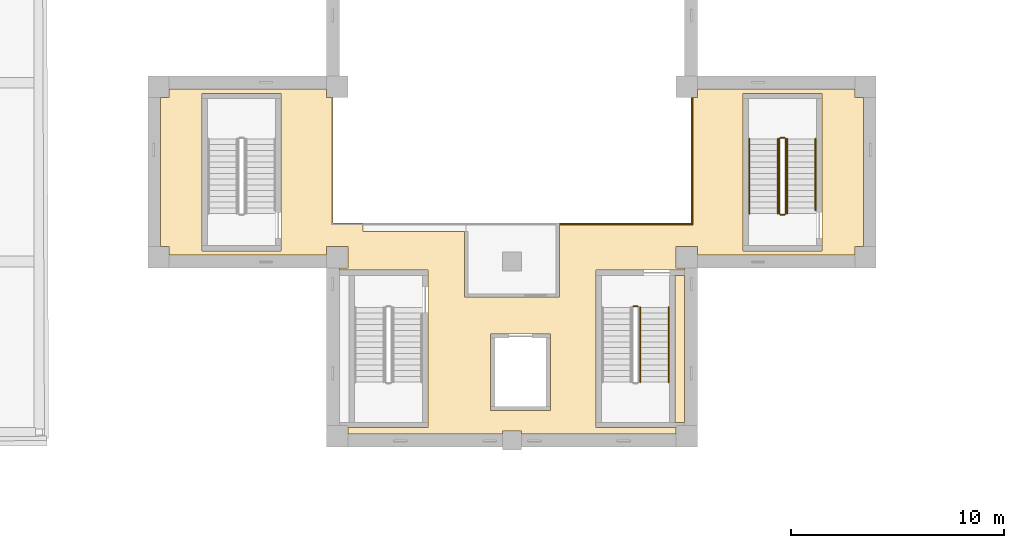
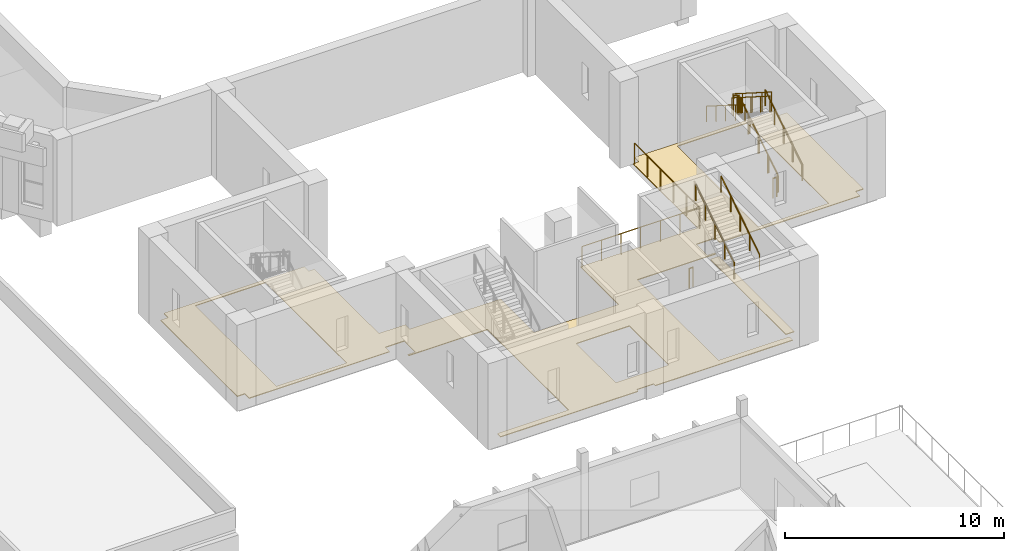
# One storey, part 61 of 79: 13 railings, 2 coverings.
"""IFC4 building model written with IfcOpenShell, lengths in metres."""

from ifc_helpers import new_model, si_unit, direction, frame, origin, origin_2d, place, context, subcontext, project, spatial, polyline, circle, outline, extrude, material, layer, layer_set, type_object, element, save


model = new_model("IFC4")

# Units and contexts
model_context = context("Model", 3, precision=1e-05, world=origin(), true_north=direction((0.0, 1.0)))
body_context = subcontext(model_context, "Body", "Model", "MODEL_VIEW")
ifc_project = project(units=[si_unit("LENGTHUNIT", "METRE"), si_unit("AREAUNIT", "SQUARE_METRE"), si_unit("VOLUMEUNIT", "CUBIC_METRE"), si_unit("PLANEANGLEUNIT", "RADIAN"), si_unit("MASSUNIT", "GRAM", prefix="KILO")], contexts=[model_context])

# Site, building, storey
site_placement = place(None, origin())
site = spatial("IfcSite", under=ifc_project, at=site_placement, CompositionType="ELEMENT")
building_placement = place(site_placement, origin())
building = spatial("IfcBuilding", under=site, at=building_placement, Name="Larchfold Concert Hall", CompositionType="ELEMENT")
storey_placement = place(building_placement, frame((0.0, 0.0, 14.39990234375)))
storey = spatial("IfcBuildingStorey", under=building, at=storey_placement, Name="L03", CompositionType="ELEMENT", Elevation=14.39990234375)

# Coverings
ifc_material_1 = material(Name="Polished terrazzo")
ifc_layer = layer(ifc_material_1, 0.0400390625)
ifc_layer_set = layer_set([ifc_layer], Name="Polished terrazzo")
covering_type = type_object("IfcCoveringType", Name="Floor finish terrazzo 40", PredefinedType="FLOORING", material=ifc_layer_set)
covering_1_placement = place(storey_placement, origin())
element("IfcCovering", 1, at=covering_1_placement, inside=storey, type_object=covering_type, Name="Floor finish Fly Gallery Walkway 01", PredefinedType="FLOORING", context=body_context, shape_type="SweptSolid", body=[
    extrude(outline(polyline([(51.0, 44.39990234375), (44.824951171875, 44.39990234375), (44.824951171875, 40.925048828125), (40.375, 40.925048828125), (40.375, 43.9990234375), (35.60009765625, 43.99951171875), (35.60009765625, 44.39990234375), (34.199951171875, 44.39990234375), (34.199951171875, 50.300048828125), (33.89990234375, 50.300048828125), (33.89990234375, 50.699951171875), (26.5, 50.699951171875), (26.5, 50.300048828125), (26.10009765625, 50.300048828125), (26.10009765625, 43.300048828125), (26.5, 43.300048828125), (26.5, 42.900146484375), (33.89990234375, 42.900146484375), (33.89990234375, 43.300048828125), (34.89990234375, 43.300048828125), (34.89990234375, 42.300048828125), (34.5, 42.300048828125), (34.5, 42.199951171875), (38.64990234375, 42.199951171875), (38.64990234375, 34.800048828125), (34.89990234375, 34.800048828125), (34.89990234375, 34.5), (42.150146484375, 34.5), (42.150146484375, 34.64990234375), (43.050048828125, 34.64990234375), (43.050048828125, 34.5), (50.300048828125, 34.5), (50.300048828125, 34.800048828125), (46.550048828125, 34.800048828125), (46.550048828125, 42.199951171875), (50.699951171875, 42.199951171875), (50.699951171875, 42.300048828125), (50.300048828125, 42.300048828125), (50.300048828125, 43.300048828125), (51.300048828125, 43.300048828125), (51.300048828125, 42.900146484375), (58.699951171875, 42.900146484375), (58.699951171875, 43.300048828125), (59.099853515625, 43.300048828125), (59.099853515625, 50.300048828125), (58.699951171875, 50.300048828125), (58.699951171875, 50.699951171875), (51.300048828125, 50.699951171875), (51.300048828125, 50.300048828125), (51.0, 50.300048828125), (51.0, 44.39990234375)]), holes=[polyline([(53.449951171875, 43.10009765625), (53.449951171875, 50.5), (57.14990234375, 50.5), (57.14990234375, 43.10009765625), (53.449951171875, 43.10009765625)]), polyline([(41.60009765625, 39.199951171875), (44.39990234375, 39.199951171875), (44.39990234375, 35.60009765625), (41.60009765625, 35.60009765625), (41.60009765625, 39.199951171875)]), polyline([(31.75, 50.5), (31.75, 43.10009765625), (28.050048828125, 43.10009765625), (28.050048828125, 50.5), (31.75, 50.5)])]), origin(), (0.0, 0.0, 1.0), 0.0400390625),
])
covering_2_placement = place(storey_placement, origin())
element("IfcCovering", 2, at=covering_2_placement, inside=storey, type_object=covering_type, Name="Floor finish Fly Gallery Walkway 01", PredefinedType="FLOORING", context=body_context, shape_type="SweptSolid", body=[
    extrude(outline(polyline([(50.25, 35.050048828125), (50.699951171875, 35.050048828125), (50.699951171875, 41.949951171875), (50.25, 41.949951171875), (50.25, 35.050048828125)])), origin(), (0.0, 0.0, 1.0), 0.0400390625),
])

# Railings
ifc_material_2 = material(Name="Stainless steel balustrade", Category="steel")
railing_type_1 = type_object("IfcRailingType", Name="Fly tower guard 1200", PredefinedType="GUARDRAIL", material=ifc_material_2)
railing_1_placement = place(storey_placement, frame((51.06005859375, 44.33984375, 0.0)))
element("IfcRailing", 3, at=railing_1_placement, inside=storey, type_object=railing_type_1, Name="Guard GR0077", PredefinedType="GUARDRAIL", context=body_context, shape_type="SweptSolid", body=[
    extrude(circle(Radius=0.02392578125, at=origin_2d()), frame((0.0, 0.0, 1.17578125), z_axis=(0.0, 1.0, 0.0), x_axis=(-1.0, 0.0, 0.0)), (0.0, 0.0, 1.0), 5.920166015625),
    extrude(circle(Radius=0.02099609375, at=origin_2d()), origin(), (0.0, 0.0, 1.0), 1.15185546875),
    extrude(circle(Radius=0.02099609375, at=origin_2d()), frame((0.0, 1.18408203125, 0.0)), (0.0, 0.0, 1.0), 1.15185546875),
    extrude(circle(Radius=0.02099609375, at=origin_2d()), frame((0.0, 2.3681640625, 0.0)), (0.0, 0.0, 1.0), 1.15185546875),
    extrude(circle(Radius=0.02099609375, at=origin_2d()), frame((0.0, 3.552001953125, 0.0)), (0.0, 0.0, 1.0), 1.15185546875),
    extrude(circle(Radius=0.02099609375, at=origin_2d()), frame((0.0, 4.736083984375, 0.0)), (0.0, 0.0, 1.0), 1.15185546875),
    extrude(circle(Radius=0.02099609375, at=origin_2d()), frame((0.0, 5.920166015625, 0.0)), (0.0, 0.0, 1.0), 1.15185546875),
])
railing_2_placement = place(storey_placement, frame((44.864990234375, 44.33984375, 0.0)))
element("IfcRailing", 4, at=railing_2_placement, inside=storey, type_object=railing_type_1, Name="Guard GR0079", PredefinedType="GUARDRAIL", context=body_context, shape_type="SweptSolid", body=[
    extrude(circle(Radius=0.02392578125, at=origin_2d()), frame((0.0, 0.0, 1.17578125), z_axis=(1.0, 0.0, 0.0), x_axis=(0.0, 1.0, 0.0)), (0.0, 0.0, 1.0), 6.195068359375),
    extrude(circle(Radius=0.02099609375, at=origin_2d()), origin(), (0.0, 0.0, 1.0), 1.15185546875),
    extrude(circle(Radius=0.02099609375, at=origin_2d()), frame((1.032470703125, 0.0, 0.0)), (0.0, 0.0, 1.0), 1.15185546875),
    extrude(circle(Radius=0.02099609375, at=origin_2d()), frame((2.06494140625, 0.0, 0.0)), (0.0, 0.0, 1.0), 1.15185546875),
    extrude(circle(Radius=0.02099609375, at=origin_2d()), frame((3.09765625, 0.0, 0.0)), (0.0, 0.0, 1.0), 1.15185546875),
    extrude(circle(Radius=0.02099609375, at=origin_2d()), frame((4.130126953125, 0.0, 0.0)), (0.0, 0.0, 1.0), 1.15185546875),
    extrude(circle(Radius=0.02099609375, at=origin_2d()), frame((5.16259765625, 0.0, 0.0)), (0.0, 0.0, 1.0), 1.15185546875),
    extrude(circle(Radius=0.02099609375, at=origin_2d()), frame((6.195068359375, 0.0, 0.0)), (0.0, 0.0, 1.0), 1.15185546875),
])
ifc_material_3 = material(Name="Stainless steel balustrade", Category="steel")
railing_type_2 = type_object("IfcRailingType", Name="Stair guard 1100", PredefinedType="GUARDRAIL", material=ifc_material_3)
railing_3_placement = place(storey_placement, frame((55.449951171875, 44.85009765625, 0.171630859375)))
element("IfcRailing", 5, at=railing_3_placement, inside=storey, type_object=railing_type_2, Name="Guard GR0041", PredefinedType="GUARDRAIL", context=body_context, shape_type="SweptSolid", body=[
    extrude(circle(Radius=0.02392578125, at=origin_2d()), frame((0.0, 0.0, 1.076171875), z_axis=(0.0, 0.844219563411, 0.53599750816), x_axis=(-1.0, 0.0, 0.0)), (0.0, 0.0, 1.0), 4.15771484375),
    extrude(circle(Radius=0.02099609375, at=origin_2d()), origin(), (0.0, 0.0, 1.0), 1.052001953125),
    extrude(circle(Radius=0.02099609375, at=origin_2d()), frame((0.0, 0.87744140625, 0.55712890625)), (0.0, 0.0, 1.0), 1.052001953125),
    extrude(circle(Radius=0.02099609375, at=origin_2d()), frame((0.0, 1.7548828125, 1.1142578125)), (0.0, 0.0, 1.0), 1.052001953125),
    extrude(circle(Radius=0.02099609375, at=origin_2d()), frame((0.0, 2.632568359375, 1.67138671875)), (0.0, 0.0, 1.0), 1.052001953125),
    extrude(circle(Radius=0.02099609375, at=origin_2d()), frame((0.0, 3.510009765625, 2.228515625)), (0.0, 0.0, 1.0), 1.052001953125),
])
railing_4_placement = place(storey_placement, frame((55.39990234375, 48.41015625, 2.400146484375)))
element("IfcRailing", 6, at=railing_4_placement, inside=storey, type_object=railing_type_2, Name="Guard GR0042", PredefinedType="GUARDRAIL", context=body_context, shape_type="SweptSolid", body=[
    extrude(circle(Radius=0.02392578125, at=origin_2d()), frame((0.0, 0.0, 1.076171875), z_axis=(-1.0, 0.0, 0.0), x_axis=(0.0, -1.0, 0.0)), (0.0, 0.0, 1.0), 0.199951171875),
    extrude(circle(Radius=0.02099609375, at=origin_2d()), origin(), (0.0, 0.0, 1.0), 1.052001953125),
    extrude(circle(Radius=0.02099609375, at=origin_2d()), frame((-0.199951171875, 0.0, 0.0)), (0.0, 0.0, 1.0), 1.052001953125),
])
railing_5_placement = place(storey_placement, frame((55.14990234375, 48.360107421875, 2.571533203125)))
element("IfcRailing", 7, at=railing_5_placement, inside=storey, type_object=railing_type_2, Name="Guard GR0043", PredefinedType="GUARDRAIL", context=body_context, shape_type="SweptSolid", body=[
    extrude(circle(Radius=0.02392578125, at=origin_2d()), frame((0.0, 0.0, 1.076171875), z_axis=(0.0, -0.844219563411, 0.53599750816), x_axis=(1.0, 0.0, 0.0)), (0.0, 0.0, 1.0), 4.15771484375),
    extrude(circle(Radius=0.02099609375, at=origin_2d()), origin(), (0.0, 0.0, 1.0), 1.052001953125),
    extrude(circle(Radius=0.02099609375, at=origin_2d()), frame((0.0, -0.87744140625, 0.55712890625)), (0.0, 0.0, 1.0), 1.052001953125),
    extrude(circle(Radius=0.02099609375, at=origin_2d()), frame((0.0, -1.7548828125, 1.1142578125)), (0.0, 0.0, 1.0), 1.052001953125),
    extrude(circle(Radius=0.02099609375, at=origin_2d()), frame((0.0, -2.632568359375, 1.67138671875)), (0.0, 0.0, 1.0), 1.052001953125),
    extrude(circle(Radius=0.02099609375, at=origin_2d()), frame((0.0, -3.510009765625, 2.228515625)), (0.0, 0.0, 1.0), 1.052001953125),
])
railing_6_placement = place(storey_placement, frame((55.39990234375, 44.800048828125, 0.0)))
element("IfcRailing", 8, at=railing_6_placement, inside=storey, type_object=railing_type_2, Name="Guard GR0044", PredefinedType="GUARDRAIL", context=body_context, shape_type="SweptSolid", body=[
    extrude(circle(Radius=0.02392578125, at=origin_2d()), frame((0.0, 0.0, 1.076171875), z_axis=(-1.0, 0.0, 0.0), x_axis=(0.0, -1.0, 0.0)), (0.0, 0.0, 1.0), 0.199951171875),
    extrude(circle(Radius=0.02099609375, at=origin_2d()), origin(), (0.0, 0.0, 1.0), 1.052001953125),
    extrude(circle(Radius=0.02099609375, at=origin_2d()), frame((-0.199951171875, 0.0, 0.0)), (0.0, 0.0, 1.0), 1.052001953125),
])
railing_7_placement = place(storey_placement, frame((48.300048828125, 40.5, 0.0)))
element("IfcRailing", 9, at=railing_7_placement, inside=storey, type_object=railing_type_2, Name="Guard GR0052", PredefinedType="GUARDRAIL", context=body_context, shape_type="SweptSolid", body=[
    extrude(circle(Radius=0.02392578125, at=origin_2d()), frame((0.0, 0.0, 1.076171875), z_axis=(1.0, 0.0, 0.0), x_axis=(0.0, 1.0, 0.0)), (0.0, 0.0, 1.0), 0.199951171875),
    extrude(circle(Radius=0.02099609375, at=origin_2d()), origin(), (0.0, 0.0, 1.0), 1.052001953125),
    extrude(circle(Radius=0.02099609375, at=origin_2d()), frame((0.199951171875, 0.0, 0.0)), (0.0, 0.0, 1.0), 1.052001953125),
])
ifc_material_4 = material(Name="Stainless steel handrail", Category="steel")
railing_type_3 = type_object("IfcRailingType", Name="Stair handrail 900", PredefinedType="HANDRAIL", material=ifc_material_4)
railing_8_placement = place(storey_placement, frame((56.849853515625, 45.000244140625, 0.266845703125)))
element("IfcRailing", 10, at=railing_8_placement, inside=storey, type_object=railing_type_3, Name="Handrail HR0037", PredefinedType="HANDRAIL", context=body_context, shape_type="SweptSolid", body=[
    extrude(circle(Radius=0.02392578125, at=origin_2d()), frame((0.0, 0.0, 0.8759765625), z_axis=(0.0, 0.844206646714, 0.536017851983), x_axis=(-1.0, 0.0, 0.0)), (0.0, 0.0, 1.0), 3.97998046875),
    extrude(circle(Radius=0.02099609375, at=origin_2d()), origin(), (0.0, 0.0, 1.0), 0.851806640625),
    extrude(circle(Radius=0.02099609375, at=origin_2d()), frame((0.0, 0.83984375, 0.533203125)), (0.0, 0.0, 1.0), 0.851806640625),
    extrude(circle(Radius=0.02099609375, at=origin_2d()), frame((0.0, 1.679931640625, 1.066650390625)), (0.0, 0.0, 1.0), 0.851806640625),
    extrude(circle(Radius=0.02099609375, at=origin_2d()), frame((0.0, 2.52001953125, 1.60009765625)), (0.0, 0.0, 1.0), 0.851806640625),
    extrude(circle(Radius=0.02099609375, at=origin_2d()), frame((0.0, 3.35986328125, 2.13330078125)), (0.0, 0.0, 1.0), 0.851806640625),
])
railing_9_placement = place(storey_placement, frame((53.75, 48.360107421875, 2.571533203125)))
element("IfcRailing", 11, at=railing_9_placement, inside=storey, type_object=railing_type_3, Name="Handrail HR0038", PredefinedType="HANDRAIL", context=body_context, shape_type="SweptSolid", body=[
    extrude(circle(Radius=0.02392578125, at=origin_2d()), frame((0.0, 0.0, 0.8759765625), z_axis=(0.0, -0.844219563411, 0.53599750816), x_axis=(1.0, 0.0, 0.0)), (0.0, 0.0, 1.0), 4.15771484375),
    extrude(circle(Radius=0.02099609375, at=origin_2d()), origin(), (0.0, 0.0, 1.0), 0.851806640625),
    extrude(circle(Radius=0.02099609375, at=origin_2d()), frame((0.0, -0.87744140625, 0.55712890625)), (0.0, 0.0, 1.0), 0.851806640625),
    extrude(circle(Radius=0.02099609375, at=origin_2d()), frame((0.0, -1.7548828125, 1.1142578125)), (0.0, 0.0, 1.0), 0.851806640625),
    extrude(circle(Radius=0.02099609375, at=origin_2d()), frame((0.0, -2.632568359375, 1.67138671875)), (0.0, 0.0, 1.0), 0.851806640625),
    extrude(circle(Radius=0.02099609375, at=origin_2d()), frame((0.0, -3.510009765625, 2.228515625)), (0.0, 0.0, 1.0), 0.851806640625),
])
railing_10_placement = place(storey_placement, frame((55.52001953125, 44.85009765625, 0.171630859375)))
element("IfcRailing", 12, at=railing_10_placement, inside=storey, type_object=railing_type_3, Name="Handrail HR0039", PredefinedType="HANDRAIL", context=body_context, shape_type="SweptSolid", body=[
    extrude(circle(Radius=0.02392578125, at=origin_2d()), frame((0.0, 0.0, 0.8759765625), z_axis=(0.0, 0.844219563411, 0.53599750816), x_axis=(-1.0, 0.0, 0.0)), (0.0, 0.0, 1.0), 4.15771484375),
    extrude(circle(Radius=0.02099609375, at=origin_2d()), origin(), (0.0, 0.0, 1.0), 0.851806640625),
    extrude(circle(Radius=0.02099609375, at=origin_2d()), frame((0.0, 0.87744140625, 0.55712890625)), (0.0, 0.0, 1.0), 0.851806640625),
    extrude(circle(Radius=0.02099609375, at=origin_2d()), frame((0.0, 1.7548828125, 1.1142578125)), (0.0, 0.0, 1.0), 0.851806640625),
    extrude(circle(Radius=0.02099609375, at=origin_2d()), frame((0.0, 2.632568359375, 1.67138671875)), (0.0, 0.0, 1.0), 0.851806640625),
    extrude(circle(Radius=0.02099609375, at=origin_2d()), frame((0.0, 3.510009765625, 2.228515625)), (0.0, 0.0, 1.0), 0.851806640625),
])
railing_11_placement = place(storey_placement, frame((55.079833984375, 48.360107421875, 2.571533203125)))
element("IfcRailing", 13, at=railing_11_placement, inside=storey, type_object=railing_type_3, Name="Handrail HR0040", PredefinedType="HANDRAIL", context=body_context, shape_type="SweptSolid", body=[
    extrude(circle(Radius=0.02392578125, at=origin_2d()), frame((0.0, 0.0, 0.8759765625), z_axis=(0.0, -0.844219563411, 0.53599750816), x_axis=(1.0, 0.0, 0.0)), (0.0, 0.0, 1.0), 4.15771484375),
    extrude(circle(Radius=0.02099609375, at=origin_2d()), origin(), (0.0, 0.0, 1.0), 0.851806640625),
    extrude(circle(Radius=0.02099609375, at=origin_2d()), frame((0.0, -0.87744140625, 0.55712890625)), (0.0, 0.0, 1.0), 0.851806640625),
    extrude(circle(Radius=0.02099609375, at=origin_2d()), frame((0.0, -1.7548828125, 1.1142578125)), (0.0, 0.0, 1.0), 0.851806640625),
    extrude(circle(Radius=0.02099609375, at=origin_2d()), frame((0.0, -2.632568359375, 1.67138671875)), (0.0, 0.0, 1.0), 0.851806640625),
    extrude(circle(Radius=0.02099609375, at=origin_2d()), frame((0.0, -3.510009765625, 2.228515625)), (0.0, 0.0, 1.0), 0.851806640625),
])
for number, where, name in (
    (14, (49.949951171875, 36.93994140625, 2.571533203125), "Handrail HR0046"),
    (15, (48.6201171875, 36.93994140625, 2.571533203125), "Handrail HR0048"),
):
    element("IfcRailing", number, at=place(storey_placement, frame(where)), inside=storey, type_object=railing_type_3, Name=name, PredefinedType="HANDRAIL", context=body_context, shape_type="SweptSolid", body=[
        extrude(circle(Radius=0.02392578125, at=origin_2d()), frame((0.0, 0.0, 0.8759765625), z_axis=(0.0, 0.844219563411, 0.53599750816), x_axis=(-1.0, 0.0, 0.0)), (0.0, 0.0, 1.0), 4.15771484375),
        extrude(circle(Radius=0.02099609375, at=origin_2d()), origin(), (0.0, 0.0, 1.0), 0.851806640625),
        extrude(circle(Radius=0.02099609375, at=origin_2d()), frame((0.0, 0.87744140625, 0.55712890625)), (0.0, 0.0, 1.0), 0.851806640625),
        extrude(circle(Radius=0.02099609375, at=origin_2d()), frame((0.0, 1.7548828125, 1.1142578125)), (0.0, 0.0, 1.0), 0.851806640625),
        extrude(circle(Radius=0.02099609375, at=origin_2d()), frame((0.0, 2.632568359375, 1.67138671875)), (0.0, 0.0, 1.0), 0.851806640625),
        extrude(circle(Radius=0.02099609375, at=origin_2d()), frame((0.0, 3.510009765625, 2.228515625)), (0.0, 0.0, 1.0), 0.851806640625),
    ])

save(model, "model.ifc")
